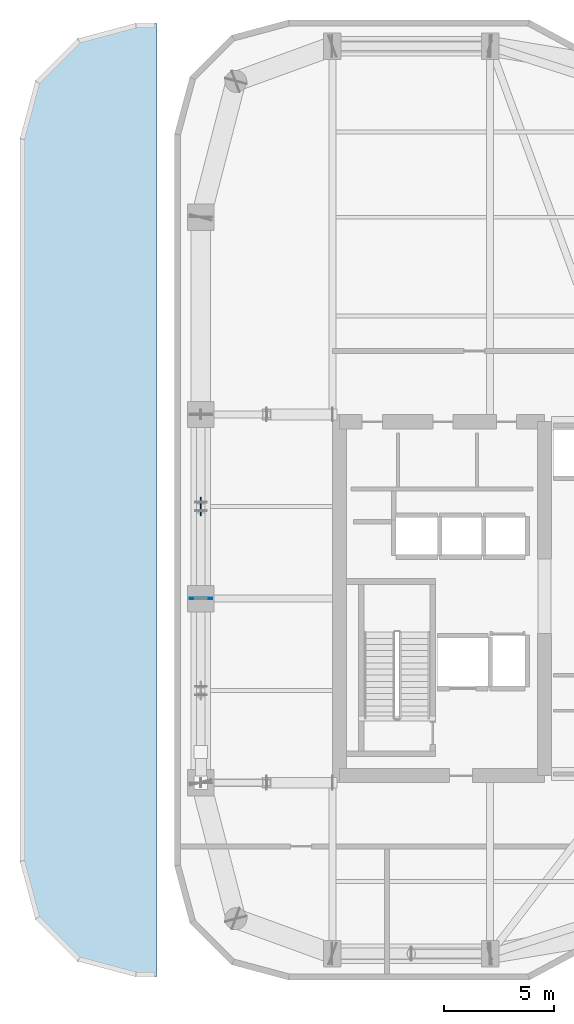
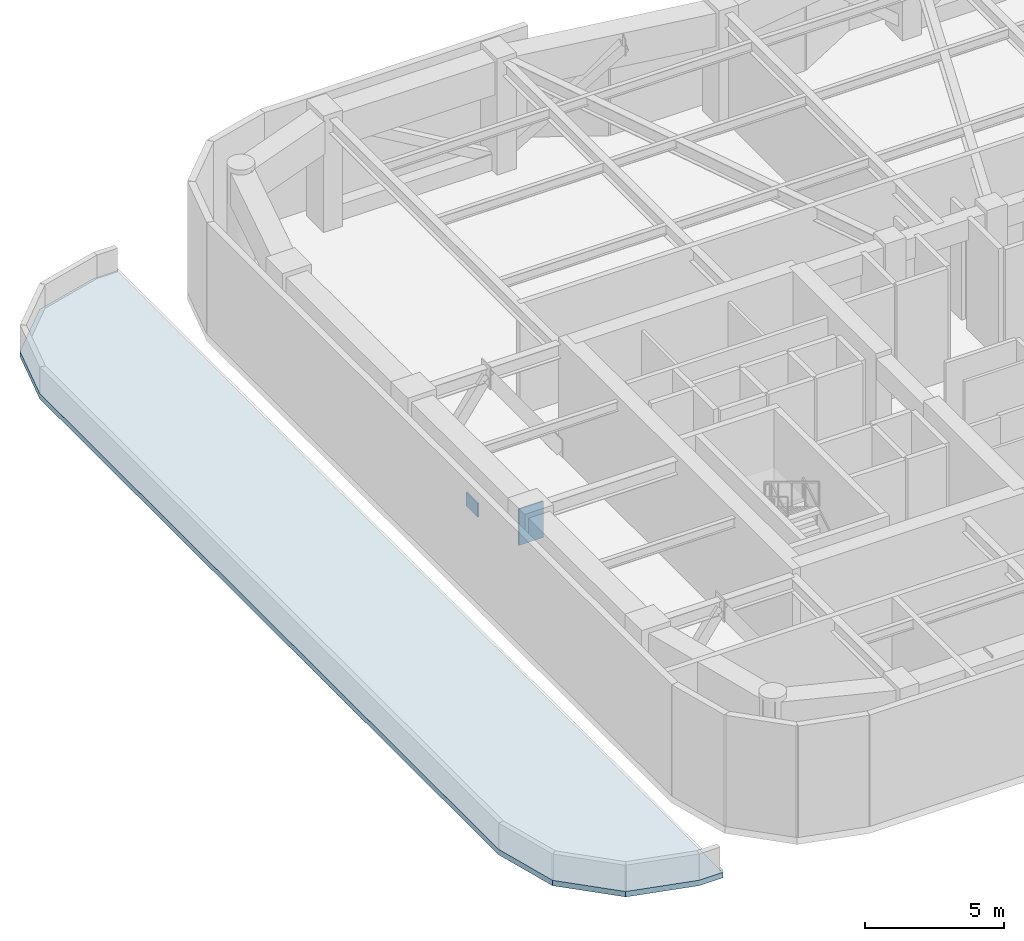
# One storey, part 4 of 16: 3 plates, 1 slab.
"""IFC4 building model written with IfcOpenShell, lengths in metres."""

from ifc_helpers import new_model, si_unit, direction, frame, origin, origin_2d, place, context, subcontext, project, spatial, polyline, rectangle, outline, extrude, material, layer, layer_set, type_object, element, save


model = new_model("IFC4")

# Units and contexts
model_context = context("Model", 3, precision=1e-05, world=origin(), true_north=direction((0.0, 1.0)))
body_context = subcontext(model_context, "Body", "Model", "MODEL_VIEW")
ifc_project = project(units=[si_unit("LENGTHUNIT", "METRE"), si_unit("AREAUNIT", "SQUARE_METRE"), si_unit("VOLUMEUNIT", "CUBIC_METRE"), si_unit("PLANEANGLEUNIT", "RADIAN"), si_unit("MASSUNIT", "GRAM", prefix="KILO")], contexts=[model_context])

# Site, building, storey
site_placement = place(None, origin())
site = spatial("IfcSite", under=ifc_project, at=site_placement, CompositionType="ELEMENT")
building_placement = place(site_placement, origin())
building = spatial("IfcBuilding", under=site, at=building_placement, Name="Kiyonajd Concourse Tower", CompositionType="ELEMENT")
storey_placement = place(building_placement, frame((0.0, 0.0, 209.699951171875)))
storey = spatial("IfcBuildingStorey", under=building, at=storey_placement, Name="L53", CompositionType="ELEMENT", Elevation=209.699951171875)

# Plates
ifc_material_1 = material(Name="Steel ASTM A572 Grade 50", Category="steel")
ifc_layer_1 = layer(ifc_material_1, 0.031982421875)
ifc_layer_set_1 = layer_set([ifc_layer_1], Name="Steel ASTM A572 Grade 50")
plate_type_1 = type_object("IfcPlateType", Name="PL-CAP-540", PredefinedType="USERDEFINED", material=ifc_layer_set_1)
for number, where, z_axis, x_axis, name in (
    (1, (26.39990234375, 35.989013671875, 3.35986328125), (0.0, 0.0, 1.0), (0.0, -1.0, 0.0), "L53 Welded Box Girder End Cap"),
    (2, (26.39990234375, 36.010986328125, 3.35986328125), (0.0, 0.0, 1.0), (0.0, 1.0, 0.0), "L53 Welded Box Girder End Cap"),
):
    element("IfcPlate", number, at=place(storey_placement, frame(where, z_axis=z_axis, x_axis=x_axis)), inside=storey, type_object=plate_type_1, Name=name, ObjectType="CAP PLATE", PredefinedType="USERDEFINED", context=body_context, shape_type="SweptSolid", body=[
        extrude(rectangle(XDim=0.035888671875, YDim=1.02001953125, at=origin_2d()), origin(), (0.0, 0.0, 1.0), 1.590087890625),
    ])
ifc_layer_2 = layer(ifc_material_1, 0.06005859375)
ifc_layer_set_2 = layer_set([ifc_layer_2], Name="Steel ASTM A572 Grade 50")
plate_type_2 = type_object("IfcPlateType", Name="PL-XNODE-60", PredefinedType="USERDEFINED", material=ifc_layer_set_2)
plate_placement = place(storey_placement, frame((26.39990234375, 40.199951171875, 2.114990234375), z_axis=(0.0, 0.0, 1.0), x_axis=(1.0, 0.0, 0.0)))
element("IfcPlate", 3, at=plate_placement, inside=storey, type_object=plate_type_2, Name="L53 Belt Truss X Brace Crossing Gusset Plate XN1 W2", ObjectType="GUSSET PLATE", PredefinedType="USERDEFINED", context=body_context, shape_type="SweptSolid", body=[
    extrude(rectangle(XDim=0.06005859375, YDim=0.840087890625, at=origin_2d()), origin(), (0.0, 0.0, 1.0), 0.60009765625),
])

# Slab
ifc_material_2 = material(Name="Concrete C40/50", Category="concrete")
ifc_layer_3 = layer(ifc_material_2, 0.239990234375)
ifc_layer_set_3 = layer_set([ifc_layer_3], Name="Concrete C40/50")
slab_type = type_object("IfcSlabType", Name="SL-TERR-240", PredefinedType="ROOF", material=ifc_layer_set_3)
slab_placement = place(storey_placement, frame((0.0, 0.0, -0.239990234375)))
element("IfcSlab", 4, at=slab_placement, inside=storey, type_object=slab_type, Name="L53 Setback Maintenance Roof Slab 1", PredefinedType="ROOF", context=body_context, shape_type="SweptSolid", body=[
    extrude(outline(polyline([(18.85693359375, 59.6220703125), (20.778076171875, 61.54296875), (23.419921875, 62.25), (24.39990234375, 62.25), (24.39990234375, 18.75), (23.419921875, 18.75), (20.778076171875, 19.45703125), (18.85693359375, 21.3779296875), (18.14990234375, 24.02001953125), (18.14990234375, 56.97998046875), (18.85693359375, 59.6220703125)])), origin(), (0.0, 0.0, 1.0), 0.239990234375),
])

save(model, "model.ifc")
